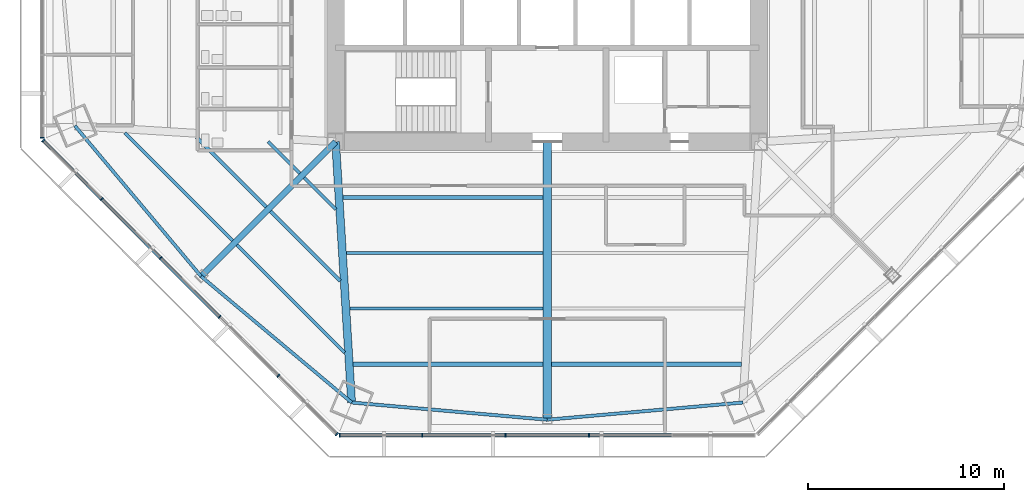
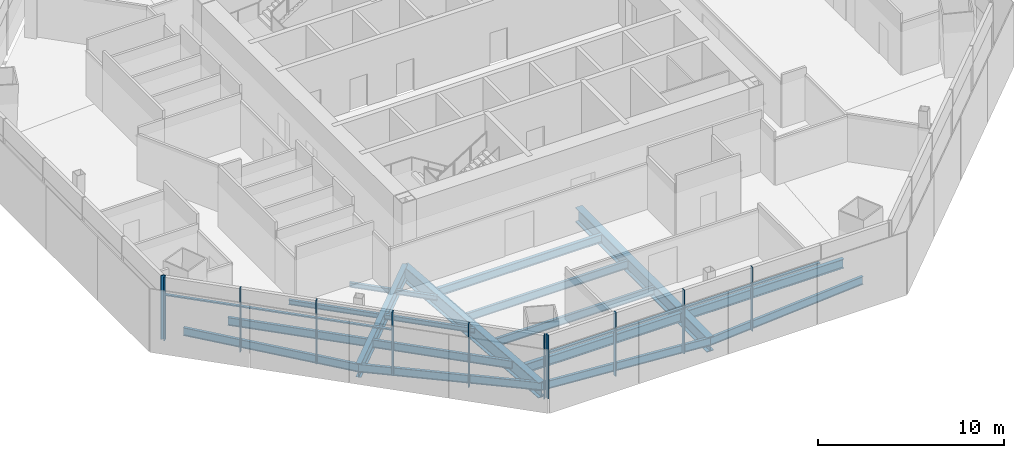
# One storey, part 2 of 16: 18 beams, 18 members, 3 elements without a shape of their own.
"""IFC4 building model written with IfcOpenShell, lengths in metres."""

from ifc_helpers import new_model, si_unit, direction, frame, origin, origin_2d, place, context, subcontext, project, spatial, rectangle, i_section, extrude, source, transform, mapped, material, material_profile, profile_set, type_object, type_shapes, element, aggregate, save


model = new_model("IFC4")

# Units and contexts
model_context = context("Model", 3, precision=1e-05, world=origin(), true_north=direction((0.0, 1.0)))
body_context = subcontext(model_context, "Body", "Model", "MODEL_VIEW")
ifc_project = project(units=[si_unit("LENGTHUNIT", "METRE"), si_unit("AREAUNIT", "SQUARE_METRE"), si_unit("VOLUMEUNIT", "CUBIC_METRE"), si_unit("PLANEANGLEUNIT", "RADIAN"), si_unit("MASSUNIT", "GRAM", prefix="KILO")], contexts=[model_context])

# Site, building, storey
site_placement = place(None, origin())
site = spatial("IfcSite", under=ifc_project, at=site_placement, CompositionType="ELEMENT")
building_placement = place(site_placement, origin())
building = spatial("IfcBuilding", under=site, at=building_placement, Name="Mashrafa Tower", CompositionType="ELEMENT")
storey_placement = place(building_placement, frame((0.0, 0.0, 79.199951171875)))
storey = spatial("IfcBuildingStorey", under=building, at=storey_placement, Name="L17", CompositionType="ELEMENT", Elevation=79.199951171875)

# Beams
ifc_material_1 = material(Name="Steel ASTM A992", Category="steel")
ifc_material_profile_1 = material_profile(ifc_material_1, i_section(OverallWidth=0.164794921875, OverallDepth=0.309814453125, WebThickness=0.005859375, FlangeThickness=0.009765625, FilletRadius=0.007568359375, at=origin_2d()), Name="W12X26")
ifc_profile_set_1 = profile_set([ifc_material_profile_1], Name="Steel ASTM A992")
beam_type_1 = type_object("IfcBeamType", Name="Beam W12X26", PredefinedType="BEAM", material=ifc_profile_set_1)
beam_1_placement = place(storey_placement, frame((-14.339111328125, -14.12353515625, -0.31982421875), z_axis=(-0.707131035797, 0.707082525744, 0.0), x_axis=(-0.707082525744, -0.707131035797, 0.0)))
element("IfcBeam", 1, at=beam_1_placement, inside=storey, type_object=beam_type_1, Name="Floor beam L17 012", PredefinedType="BEAM", context=body_context, shape_type="SweptSolid", body=[
    extrude(i_section(OverallWidth=0.164794921875, OverallDepth=0.309814453125, WebThickness=0.005859375, FlangeThickness=0.009765625, FilletRadius=0.007568359375, at=origin_2d()), origin(), (0.0, 0.0, 1.0), 5.03271484375),
])
for number, where, z_axis, x_axis, name in (
    (2, (-12.62353515625, -12.407958984375, -0.31982421875), (-0.707053440804, 0.707160117545, 0.0), (-0.707160117545, -0.707053440804, 0.0), "Floor beam L17 016"),
    (3, (-10.78955078125, -14.24169921875, -0.31982421875), (-0.707160117545, 0.707053440804, 0.0), (-0.707053440804, -0.707160117545, 0.0), "Floor beam L17 019"),
):
    element("IfcBeam", number, at=place(storey_placement, frame(where, z_axis=z_axis, x_axis=x_axis)), inside=storey, type_object=beam_type_1, Name=name, PredefinedType="BEAM", context=body_context, shape_type="SweptSolid", body=[
        extrude(i_section(OverallWidth=0.164794921875, OverallDepth=0.309814453125, WebThickness=0.005859375, FlangeThickness=0.009765625, FilletRadius=0.007568359375, at=origin_2d()), origin(), (0.0, 0.0, 1.0), 2.28857421875),
    ])
beam_2_placement = place(storey_placement, frame((-10.56494140625, -17.89794921875, -0.31982421875), z_axis=(-0.707082525744, 0.707131035797, 0.0), x_axis=(-0.707131035797, -0.707082525744, 0.0)))
element("IfcBeam", 4, at=beam_2_placement, inside=storey, type_object=beam_type_1, Name="Floor beam L17 021", PredefinedType="BEAM", context=body_context, shape_type="SweptSolid", body=[
    extrude(i_section(OverallWidth=0.164794921875, OverallDepth=0.309814453125, WebThickness=0.005859375, FlangeThickness=0.009765625, FilletRadius=0.007568359375, at=origin_2d()), origin(), (0.0, 0.0, 1.0), 5.03271484375),
])
ifc_material_2 = material(Name="Steel ASTM A992", Category="steel")
ifc_material_profile_2 = material_profile(ifc_material_2, i_section(OverallWidth=0.165771484375, OverallDepth=0.5283203125, WebThickness=0.009765625, FlangeThickness=0.013671875, FilletRadius=0.012939453125, at=origin_2d()), Name="W21X50")
ifc_profile_set_2 = profile_set([ifc_material_profile_2], Name="Steel ASTM A992")
beam_type_2 = type_object("IfcBeamType", Name="Beam W21X50", PredefinedType="BEAM", material=ifc_profile_set_2)
for number, where, z_axis, x_axis, name in (
    (5, (-16.054931640625, -15.83935546875, -0.42919921875), (-0.707106781187, 0.707106781187, 0.0), (-0.707106781187, -0.707106781187, 0.0), "Floor beam L17 009"),
    (6, (-10.34033203125, -21.553955078125, -0.42919921875), (-0.707106781187, 0.707106781187, 0.0), (-0.707106781187, -0.707106781187, 0.0), "Floor beam L17 023"),
):
    element("IfcBeam", number, at=place(storey_placement, frame(where, z_axis=z_axis, x_axis=x_axis)), inside=storey, type_object=beam_type_2, Name=name, PredefinedType="BEAM", context=body_context, shape_type="SweptSolid", body=[
        extrude(i_section(OverallWidth=0.165771484375, OverallDepth=0.5283203125, WebThickness=0.009765625, FlangeThickness=0.013671875, FilletRadius=0.012939453125, at=origin_2d()), origin(), (0.0, 0.0, 1.0), 7.77685546875),
    ])
beam_3_placement = place(storey_placement, frame((-0.212158203125, -19.307373046875, -0.42919921875), z_axis=(-1.0, 0.0, 0.0), x_axis=(0.0, -1.0, 0.0)))
element("IfcBeam", 7, at=beam_3_placement, inside=storey, type_object=beam_type_2, Name="Floor beam L17 026", PredefinedType="BEAM", context=body_context, shape_type="SweptSolid", body=[
    extrude(i_section(OverallWidth=0.165771484375, OverallDepth=0.5283203125, WebThickness=0.009765625, FlangeThickness=0.013671875, FilletRadius=0.012939453125, at=origin_2d()), origin(), (0.0, 0.0, 1.0), 9.8642578125),
])
beam_4_placement = place(storey_placement, frame((-0.212158203125, -16.4716796875, -0.42919921875), z_axis=(-1.0, 0.0, 0.0), x_axis=(0.0, -1.0, 0.0)))
element("IfcBeam", 8, at=beam_4_placement, inside=storey, type_object=beam_type_2, Name="Floor beam L17 027", PredefinedType="BEAM", context=body_context, shape_type="SweptSolid", body=[
    extrude(i_section(OverallWidth=0.165771484375, OverallDepth=0.5283203125, WebThickness=0.009765625, FlangeThickness=0.013671875, FilletRadius=0.012939453125, at=origin_2d()), origin(), (0.0, 0.0, 1.0), 10.038330078125),
])
for number, where, z_axis, x_axis, name in (
    (9, (-24.1005859375, -9.98291015625, -0.42919921875), (0.642407861217, -0.766362929588, 0.0), (0.766362929588, 0.642407861217, 0.0), "Spandrel beam L17 074"),
    (10, (-17.662841796875, -17.662841796875, -0.42919921875), (0.766362929588, -0.642407861217, 0.0), (0.642407861217, 0.766362929588, 0.0), "Spandrel beam L17 076"),
):
    element("IfcBeam", number, at=place(storey_placement, frame(where, z_axis=z_axis, x_axis=x_axis)), inside=storey, type_object=beam_type_2, Name=name, PredefinedType="BEAM", context=body_context, shape_type="SweptSolid", body=[
        extrude(i_section(OverallWidth=0.165771484375, OverallDepth=0.5283203125, WebThickness=0.009765625, FlangeThickness=0.013671875, FilletRadius=0.012939453125, at=origin_2d()), origin(), (0.0, 0.0, 1.0), 10.021240234375),
    ])
for number, where, z_axis, x_axis, name in (
    (11, (-9.98291015625, -24.1005859375, -0.42919921875), (0.996151025151, -0.087653494461, 0.0), (0.087653494461, 0.996151025151, 0.0), "Spandrel beam L17 078"),
    (12, (0.0, -24.97900390625, -0.42919921875), (0.996151025151, 0.087653494461, 0.0), (-0.087653494461, 0.996151025151, 0.0), "Spandrel beam L17 080"),
):
    element("IfcBeam", number, at=place(storey_placement, frame(where, z_axis=z_axis, x_axis=x_axis)), inside=storey, type_object=beam_type_2, Name=name, PredefinedType="BEAM", context=body_context, shape_type="SweptSolid", body=[
        extrude(i_section(OverallWidth=0.165771484375, OverallDepth=0.5283203125, WebThickness=0.009765625, FlangeThickness=0.013671875, FilletRadius=0.012939453125, at=origin_2d()), origin(), (0.0, 0.0, 1.0), 10.021484375),
    ])
ifc_material_3 = material(Name="Steel ASTM A992", Category="steel")
ifc_material_profile_3 = material_profile(ifc_material_3, i_section(OverallWidth=0.209228515625, OverallDepth=0.533447265625, WebThickness=0.01025390625, FlangeThickness=0.015625, FilletRadius=0.012939453125, at=origin_2d()), Name="W21X62")
ifc_profile_set_3 = profile_set([ifc_material_profile_3], Name="Steel ASTM A992")
beam_type_3 = type_object("IfcBeamType", Name="Beam W21X62", PredefinedType="BEAM", material=ifc_profile_set_3)
beam_5_placement = place(storey_placement, frame((-0.212158203125, -13.6357421875, -0.431640625), z_axis=(-1.0, 0.0, 0.0), x_axis=(0.0, -1.0, 0.0)))
element("IfcBeam", 13, at=beam_5_placement, inside=storey, type_object=beam_type_3, Name="Floor beam L17 028", PredefinedType="BEAM", context=body_context, shape_type="SweptSolid", body=[
    extrude(i_section(OverallWidth=0.209228515625, OverallDepth=0.533447265625, WebThickness=0.01025390625, FlangeThickness=0.015625, FilletRadius=0.012939453125, at=origin_2d()), origin(), (0.0, 0.0, 1.0), 10.212646484375),
])
ifc_material_4 = material(Name="Steel ASTM A992", Category="steel")
ifc_material_profile_4 = material_profile(ifc_material_4, i_section(OverallWidth=0.227783203125, OverallDepth=0.60205078125, WebThickness=0.010498046875, FlangeThickness=0.014892578125, FilletRadius=0.012939453125, at=origin_2d()), Name="W24X68")
ifc_profile_set_4 = profile_set([ifc_material_profile_4], Name="Steel ASTM A992")
beam_type_4 = type_object("IfcBeamType", Name="Beam W24X68", PredefinedType="BEAM", material=ifc_profile_set_4)
for number, where, z_axis, x_axis, name in (
    (14, (-0.212158203125, -22.14306640625, -0.4658203125), (-1.0, 0.0, 0.0), (0.0, -1.0, 0.0), "Floor beam L17 025"),
    (15, (9.902099609375, -22.14306640625, -0.4658203125), (-1.0, 0.0, 0.0), (0.0, -1.0, 0.0), "Floor beam L17 033"),
):
    element("IfcBeam", number, at=place(storey_placement, frame(where, z_axis=z_axis, x_axis=x_axis)), inside=storey, type_object=beam_type_4, Name=name, PredefinedType="BEAM", context=body_context, shape_type="SweptSolid", body=[
        extrude(i_section(OverallWidth=0.227783203125, OverallDepth=0.60205078125, WebThickness=0.010498046875, FlangeThickness=0.014892578125, FilletRadius=0.012939453125, at=origin_2d()), origin(), (0.0, 0.0, 1.0), 9.68994140625),
    ])
ifc_material_5 = material(Name="Steel ASTM A992", Category="steel")
ifc_material_profile_5 = material_profile(ifc_material_5, i_section(OverallWidth=0.3046875, OverallDepth=0.911865234375, WebThickness=0.015869140625, FlangeThickness=0.02392578125, FilletRadius=0.01904296875, at=origin_2d()), Name="W36X150")
ifc_profile_set_5 = profile_set([ifc_material_profile_5], Name="Steel ASTM A992")
beam_type_5 = type_object("IfcBeamType", Name="Beam W36X150", PredefinedType="BEAM", material=ifc_profile_set_5)
beam_6_placement = place(storey_placement, frame((-10.800048828125, -10.800048828125, -0.620849609375), z_axis=(-0.707106781187, -0.707106781187, 0.0), x_axis=(0.707106781187, -0.707106781187, 0.0)))
element("IfcBeam", 16, at=beam_6_placement, inside=storey, type_object=beam_type_5, Name="Radial girder L17 058", PredefinedType="BEAM", context=body_context, shape_type="SweptSolid", body=[
    extrude(i_section(OverallWidth=0.3046875, OverallDepth=0.911865234375, WebThickness=0.015869140625, FlangeThickness=0.02392578125, FilletRadius=0.01904296875, at=origin_2d()), origin(), (0.0, 0.0, 1.0), 9.70556640625),
])
ifc_material_6 = material(Name="Steel ASTM A992", Category="steel")
ifc_material_profile_6 = material_profile(ifc_material_6, i_section(OverallWidth=0.424072265625, OverallDepth=0.960205078125, WebThickness=0.028564453125, FlangeThickness=0.051025390625, FilletRadius=0.02001953125, at=origin_2d()), Name="W36X361")
ifc_profile_set_6 = profile_set([ifc_material_profile_6], Name="Steel ASTM A992")
beam_type_6 = type_object("IfcBeamType", Name="Beam W36X361", PredefinedType="BEAM", material=ifc_profile_set_6)
beam_7_placement = place(storey_placement, frame((0.0, -10.800048828125, -0.64501953125), z_axis=(0.0, -1.0, 0.0), x_axis=(1.0, 0.0, 0.0)))
element("IfcBeam", 17, at=beam_7_placement, inside=storey, type_object=beam_type_6, Name="Radial girder L17 064", PredefinedType="BEAM", context=body_context, shape_type="SweptSolid", body=[
    extrude(i_section(OverallWidth=0.424072265625, OverallDepth=0.960205078125, WebThickness=0.028564453125, FlangeThickness=0.051025390625, FilletRadius=0.02001953125, at=origin_2d()), origin(), (0.0, 0.0, 1.0), 14.178955078125),
])
ifc_material_7 = material(Name="Steel ASTM A992", Category="steel")
ifc_material_profile_7 = material_profile(ifc_material_7, i_section(OverallWidth=0.4013671875, OverallDepth=1.010986328125, WebThickness=0.023681640625, FlangeThickness=0.0419921875, FilletRadius=0.02001953125, at=origin_2d()), Name="W40X297")
ifc_profile_set_7 = profile_set([ifc_material_profile_7], Name="Steel ASTM A992")
beam_type_7 = type_object("IfcBeamType", Name="Beam W40X297", PredefinedType="BEAM", material=ifc_profile_set_7)
beam_8_placement = place(storey_placement, frame((-10.800048828125, -10.800048828125, -0.67041015625), z_axis=(0.061320899618, -0.998118102867, 0.0), x_axis=(0.998118102867, 0.061320899618, 0.0)))
element("IfcBeam", 18, at=beam_8_placement, inside=storey, type_object=beam_type_7, Name="Radial girder L17 059", PredefinedType="BEAM", context=body_context, shape_type="SweptSolid", body=[
    extrude(i_section(OverallWidth=0.4013671875, OverallDepth=1.010986328125, WebThickness=0.023681640625, FlangeThickness=0.0419921875, FilletRadius=0.02001953125, at=origin_2d()), origin(), (0.0, 0.0, 1.0), 13.32568359375),
])

# Curtain wall, member
ifc_material_8 = material(Name="Unitised aluminium curtain wall", Category="aluminium")
curtain_wall_type = type_object("IfcCurtainWallType", Name="Office curtain wall, zone 1 CW-A 200 deep", PredefinedType="NOTDEFINED", material=ifc_material_8)
curtain_wall_1_placement = place(storey_placement, origin())
curtain_wall_1 = element("IfcCurtainWall", 19, at=curtain_wall_1_placement, inside=storey, type_object=curtain_wall_type, Name="Office curtain wall, zone 1 L17 west", PredefinedType="NOTDEFINED")
ifc_material_9 = material(Name="Extruded aluminium mullion", Category="aluminium")
ifc_material_profile_8 = material_profile(ifc_material_9, rectangle(XDim=0.199951171875, YDim=0.06494140625, at=origin_2d()), Name="Mullion 65x200")
ifc_profile_set_8 = profile_set([ifc_material_profile_8], Name="Extruded aluminium mullion")
member_type_1 = type_object("IfcMemberType", Name="Mullion CW-A 65 x 200", PredefinedType="MULLION", material=ifc_profile_set_8)
shared_shape_1 = source(origin(), body_context, "Body", "SweptSolid", [
    extrude(rectangle(XDim=0.199951171875, YDim=0.06494140625, at=origin_2d()), origin(), (0.0, 0.0, 1.0), 4.199951171875),
])
type_shapes(member_type_1, [shared_shape_1])
member_1_placement = place(storey_placement, frame((-25.774169921875, -10.592041015625, 0.0), z_axis=(0.0, 0.0, 1.0), x_axis=(1.0, 0.0, 0.0)))
member_1 = element("IfcMember", 20, at=member_1_placement, type_object=member_type_1, Name="CW-A mullion 6", PredefinedType="MULLION", context=body_context, shape_type="MappedRepresentation", body=[
    mapped(shared_shape_1, transform((0.0, 0.0, 0.0))),
])
aggregate(curtain_wall_1, [member_1])

# Curtain wall, members
curtain_wall_2_placement = place(storey_placement, origin())
curtain_wall_2 = element("IfcCurtainWall", 21, at=curtain_wall_2_placement, inside=storey, type_object=curtain_wall_type, Name="Office curtain wall, zone 1 L17 south-west", PredefinedType="NOTDEFINED")
member_2_placement = place(storey_placement, frame((-25.71484375, -10.7353515625, 0.0), z_axis=(0.0, 0.0, 1.0), x_axis=(0.707106781187, 0.707106781187, 0.0)))
member_2 = element("IfcMember", 22, at=member_2_placement, type_object=member_type_1, Name="CW-A mullion 1", PredefinedType="MULLION", context=body_context, shape_type="MappedRepresentation", body=[
    mapped(shared_shape_1, transform((0.0, 0.0, 0.0))),
])
member_3_placement = place(storey_placement, frame((-22.73291015625, -13.717529296875, 0.0), z_axis=(0.0, 0.0, 1.0), x_axis=(0.707106781187, 0.707106781187, 0.0)))
member_3 = element("IfcMember", 23, at=member_3_placement, type_object=member_type_1, Name="CW-A mullion 2", PredefinedType="MULLION", context=body_context, shape_type="MappedRepresentation", body=[
    mapped(shared_shape_1, transform((0.0, 0.0, 0.0))),
])
member_4_placement = place(storey_placement, frame((-19.727783203125, -16.72265625, 0.0), z_axis=(0.0, 0.0, 1.0), x_axis=(0.707106781187, 0.707106781187, 0.0)))
member_4 = element("IfcMember", 24, at=member_4_placement, type_object=member_type_1, Name="CW-A mullion 3", PredefinedType="MULLION", context=body_context, shape_type="MappedRepresentation", body=[
    mapped(shared_shape_1, transform((0.0, 0.0, 0.0))),
])
member_5_placement = place(storey_placement, frame((-16.72265625, -19.727783203125, 0.0), z_axis=(0.0, 0.0, 1.0), x_axis=(0.707106781187, 0.707106781187, 0.0)))
member_5 = element("IfcMember", 25, at=member_5_placement, type_object=member_type_1, Name="CW-A mullion 4", PredefinedType="MULLION", context=body_context, shape_type="MappedRepresentation", body=[
    mapped(shared_shape_1, transform((0.0, 0.0, 0.0))),
])
member_6_placement = place(storey_placement, frame((-13.717529296875, -22.73291015625, 0.0), z_axis=(0.0, 0.0, 1.0), x_axis=(0.707106781187, 0.707106781187, 0.0)))
member_6 = element("IfcMember", 26, at=member_6_placement, type_object=member_type_1, Name="CW-A mullion 5", PredefinedType="MULLION", context=body_context, shape_type="MappedRepresentation", body=[
    mapped(shared_shape_1, transform((0.0, 0.0, 0.0))),
])
member_7_placement = place(storey_placement, frame((-10.7353515625, -25.71484375, 0.0), z_axis=(0.0, 0.0, 1.0), x_axis=(0.707106781187, 0.707106781187, 0.0)))
member_7 = element("IfcMember", 27, at=member_7_placement, type_object=member_type_1, Name="CW-A mullion 6", PredefinedType="MULLION", context=body_context, shape_type="MappedRepresentation", body=[
    mapped(shared_shape_1, transform((0.0, 0.0, 0.0))),
])

curtain_wall_3_placement = place(storey_placement, origin())
curtain_wall_3 = element("IfcCurtainWall", 28, at=curtain_wall_3_placement, inside=storey, type_object=curtain_wall_type, Name="Office curtain wall, zone 1 L17 south", PredefinedType="NOTDEFINED")
member_8_placement = place(storey_placement, frame((-10.592041015625, -25.774169921875, 0.0), z_axis=(0.0, 0.0, 1.0), x_axis=(0.0, 1.0, 0.0)))
member_8 = element("IfcMember", 29, at=member_8_placement, type_object=member_type_1, Name="CW-A mullion 1", PredefinedType="MULLION", context=body_context, shape_type="MappedRepresentation", body=[
    mapped(shared_shape_1, transform((0.0, 0.0, 0.0))),
])
member_9_placement = place(storey_placement, frame((-6.374755859375, -25.774169921875, 0.0), z_axis=(0.0, 0.0, 1.0), x_axis=(0.0, 1.0, 0.0)))
member_9 = element("IfcMember", 30, at=member_9_placement, type_object=member_type_1, Name="CW-A mullion 2", PredefinedType="MULLION", context=body_context, shape_type="MappedRepresentation", body=[
    mapped(shared_shape_1, transform((0.0, 0.0, 0.0))),
])
member_10_placement = place(storey_placement, frame((-2.125, -25.774169921875, 0.0), z_axis=(0.0, 0.0, 1.0), x_axis=(0.0, 1.0, 0.0)))
member_10 = element("IfcMember", 31, at=member_10_placement, type_object=member_type_1, Name="CW-A mullion 3", PredefinedType="MULLION", context=body_context, shape_type="MappedRepresentation", body=[
    mapped(shared_shape_1, transform((0.0, 0.0, 0.0))),
])
member_11_placement = place(storey_placement, frame((2.125, -25.774169921875, 0.0), z_axis=(0.0, 0.0, 1.0), x_axis=(0.0, 1.0, 0.0)))
member_11 = element("IfcMember", 32, at=member_11_placement, type_object=member_type_1, Name="CW-A mullion 4", PredefinedType="MULLION", context=body_context, shape_type="MappedRepresentation", body=[
    mapped(shared_shape_1, transform((0.0, 0.0, 0.0))),
])

# Member
ifc_material_10 = material(Name="Extruded aluminium transom", Category="aluminium")
ifc_material_profile_9 = material_profile(ifc_material_10, rectangle(XDim=0.159912109375, YDim=0.080078125, at=origin_2d()), Name="Transom 80x160")
ifc_profile_set_9 = profile_set([ifc_material_profile_9], Name="Extruded aluminium transom")
member_type_2 = type_object("IfcMemberType", Name="Transom CW-A 80 x 160", PredefinedType="MULLION", material=ifc_profile_set_9)
shared_shape_2 = source(origin(), body_context, "Body", "SweptSolid", [
    extrude(rectangle(XDim=0.159912109375, YDim=0.080078125, at=origin_2d()), origin(), (0.0, 0.0, 1.0), 4.15234375),
])
member_12_placement = place(storey_placement, frame((-25.69189453125, -10.75830078125, 3.0), z_axis=(0.707077382713, -0.707136178438, 0.0), x_axis=(0.707136178438, 0.707077382713, 0.0)))
member_12 = element("IfcMember", 33, at=member_12_placement, type_object=member_type_2, Name="CW-A transom 1", PredefinedType="MULLION", context=body_context, shape_type="MappedRepresentation", body=[
    mapped(shared_shape_2, transform((0.0, 0.0, 0.0))),
])

member_13_placement = place(storey_placement, frame((-10.5595703125, -25.774169921875, 3.0), z_axis=(1.0, 0.0, 0.0), x_axis=(0.0, 1.0, 0.0)))
member_13 = element("IfcMember", 34, at=member_13_placement, type_object=member_type_2, Name="CW-A transom 1", PredefinedType="MULLION", context=body_context, shape_type="MappedRepresentation", body=[
    mapped(shared_shape_2, transform((0.0, 0.0, 0.0))),
])

shared_shape_3 = source(origin(), body_context, "Body", "SweptSolid", [
    extrude(rectangle(XDim=0.159912109375, YDim=0.080078125, at=origin_2d()), origin(), (0.0, 0.0, 1.0), 4.184814453125),
])
member_14_placement = place(storey_placement, frame((-22.709716796875, -13.740478515625, 3.0), z_axis=(0.707077610716, -0.707135950453, 0.0), x_axis=(0.707135950453, 0.707077610716, 0.0)))
member_14 = element("IfcMember", 35, at=member_14_placement, type_object=member_type_2, Name="CW-A transom 2", PredefinedType="MULLION", context=body_context, shape_type="MappedRepresentation", body=[
    mapped(shared_shape_3, transform((0.0, 0.0, 0.0))),
])

member_15_placement = place(storey_placement, frame((-6.34228515625, -25.774169921875, 3.0), z_axis=(1.0, 0.0, 0.0), x_axis=(0.0, 1.0, 0.0)))
member_15 = element("IfcMember", 36, at=member_15_placement, type_object=member_type_2, Name="CW-A transom 2", PredefinedType="MULLION", context=body_context, shape_type="MappedRepresentation", body=[
    mapped(shared_shape_3, transform((0.0, 0.0, 0.0))),
])

member_16_placement = place(storey_placement, frame((2.157470703125, -25.774169921875, 3.0), z_axis=(1.0, 0.0, 0.0), x_axis=(0.0, 1.0, 0.0)))
member_16 = element("IfcMember", 37, at=member_16_placement, type_object=member_type_2, Name="CW-A transom 4", PredefinedType="MULLION", context=body_context, shape_type="MappedRepresentation", body=[
    mapped(shared_shape_3, transform((0.0, 0.0, 0.0))),
])

shared_shape_4 = source(origin(), body_context, "Body", "SweptSolid", [
    extrude(rectangle(XDim=0.159912109375, YDim=0.080078125, at=origin_2d()), origin(), (0.0, 0.0, 1.0), 4.18505859375),
])
type_shapes(member_type_2, [shared_shape_2, shared_shape_3, shared_shape_4])
member_17_placement = place(storey_placement, frame((-19.704833984375, -16.74560546875, 3.0), z_axis=(0.707106781187, -0.707106781187, 0.0), x_axis=(0.707106781187, 0.707106781187, 0.0)))
member_17 = element("IfcMember", 38, at=member_17_placement, type_object=member_type_2, Name="CW-A transom 3", PredefinedType="MULLION", context=body_context, shape_type="MappedRepresentation", body=[
    mapped(shared_shape_4, transform((0.0, 0.0, 0.0))),
])

aggregate(curtain_wall_2, [member_2, member_3, member_4, member_5, member_6, member_7, member_12, member_14, member_17])

member_18_placement = place(storey_placement, frame((-2.092529296875, -25.774169921875, 3.0), z_axis=(1.0, 0.0, 0.0), x_axis=(0.0, 1.0, 0.0)))
member_18 = element("IfcMember", 39, at=member_18_placement, type_object=member_type_2, Name="CW-A transom 3", PredefinedType="MULLION", context=body_context, shape_type="MappedRepresentation", body=[
    mapped(shared_shape_4, transform((0.0, 0.0, 0.0))),
])

aggregate(curtain_wall_3, [member_8, member_9, member_10, member_11, member_13, member_15, member_18, member_16])

save(model, "model.ifc")
